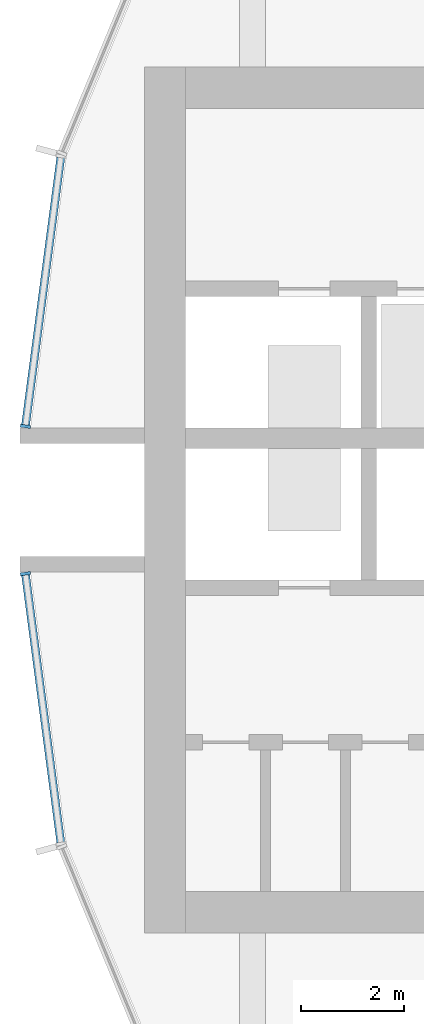
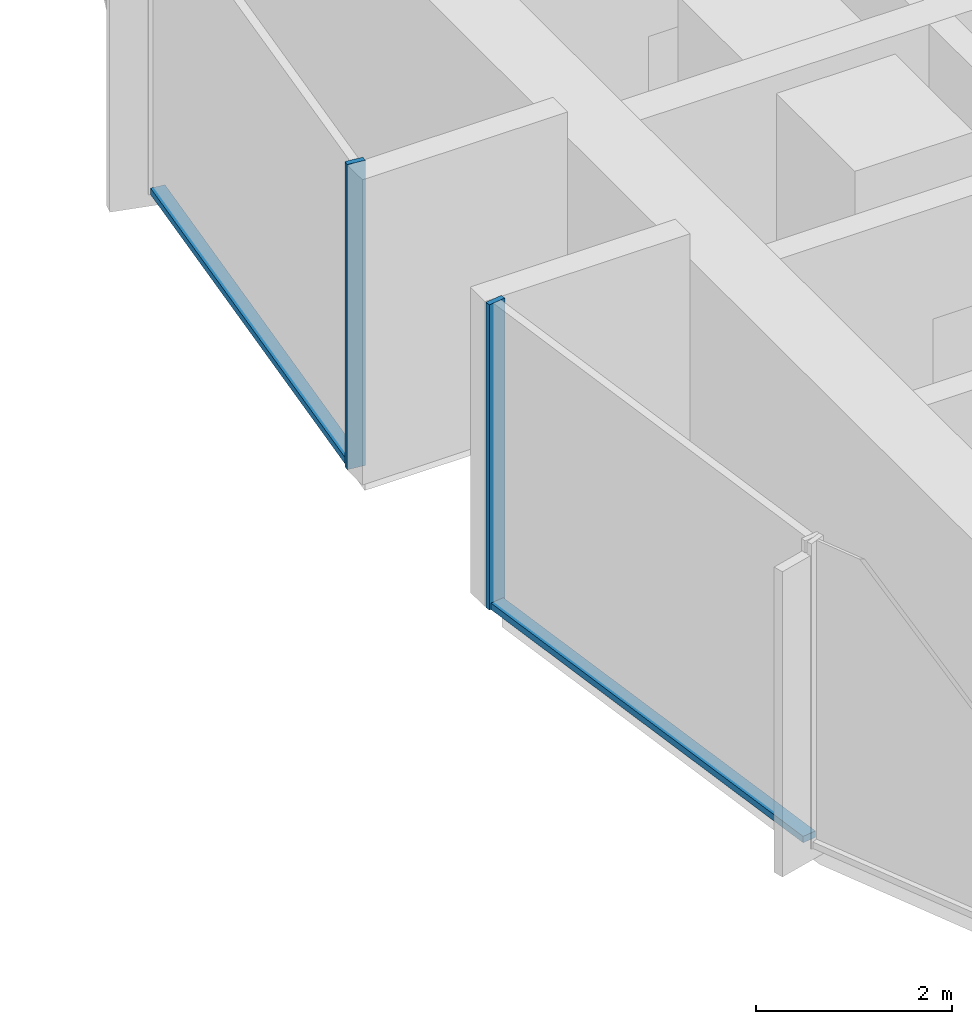
# One storey, part 3 of 15: 4 members, 2 elements without a shape of their own.
"""IFC4 building model written with IfcOpenShell, lengths in metres."""

from ifc_helpers import new_model, si_unit, direction, frame, origin, origin_2d, place, context, subcontext, project, spatial, rectangle, extrude, material, layer, layer_set, material_profile, profile_set, type_object, element, aggregate, save


model = new_model("IFC4")

# Units and contexts
model_context = context("Model", 3, precision=1e-05, world=origin(), true_north=direction((0.0, 1.0)))
body_context = subcontext(model_context, "Body", "Model", "MODEL_VIEW")
ifc_project = project(units=[si_unit("LENGTHUNIT", "METRE"), si_unit("AREAUNIT", "SQUARE_METRE"), si_unit("VOLUMEUNIT", "CUBIC_METRE"), si_unit("PLANEANGLEUNIT", "RADIAN"), si_unit("MASSUNIT", "GRAM", prefix="KILO")], contexts=[model_context])

# Site, building, storey
site_placement = place(None, origin())
site = spatial("IfcSite", under=ifc_project, at=site_placement, CompositionType="ELEMENT")
building_placement = place(site_placement, origin())
building = spatial("IfcBuilding", under=site, at=building_placement, Name="Torre Brocal", CompositionType="ELEMENT")
storey_placement = place(building_placement, frame((0.0, 0.0, 97.60009765625)))
storey = spatial("IfcBuildingStorey", under=building, at=storey_placement, Name="L22", CompositionType="ELEMENT", Elevation=97.60009765625)

# Curtain wall, member
ifc_material_1 = material(Name="Aluminium and glass", Category="aluminium")
ifc_layer = layer(ifc_material_1, 0.199951171875)
ifc_layer_set = layer_set([ifc_layer], Name="Aluminium and glass")
curtain_wall_type = type_object("IfcCurtainWallType", Name="CW-1B CURTAIN WALL 3800 HIGH", PredefinedType="NOTDEFINED", material=ifc_layer_set)
curtain_wall_1_placement = place(storey_placement, origin())
curtain_wall_1 = element("IfcCurtainWall", 1, at=curtain_wall_1_placement, inside=storey, type_object=curtain_wall_type, Name="CW-1B RUN 12", PredefinedType="NOTDEFINED")
ifc_material_2 = material(Name="Aluminium, dark anodised", Category="aluminium")
ifc_material_profile_1 = material_profile(ifc_material_2, rectangle(XDim=0.199951171875, YDim=0.06005859375, at=origin_2d()), Name="CW-1B MULLION 60X200")
ifc_profile_set_1 = profile_set([ifc_material_profile_1], Name="Aluminium, dark anodised")
member_type_1 = type_object("IfcMemberType", Name="CW-1B MULLION 60X200", PredefinedType="MULLION", material=ifc_profile_set_1)
member_1_placement = place(storey_placement, frame((54.2890625, 76.4296875, 0.0), z_axis=(0.0, 0.0, 1.0), x_axis=(0.991444861374, -0.13052619222, 0.0)))
member_1 = element("IfcMember", 2, at=member_1_placement, type_object=member_type_1, Name="CW1B-1 mullion 2", PredefinedType="MULLION", context=body_context, shape_type="SweptSolid", body=[
    extrude(rectangle(XDim=0.199951171875, YDim=0.06005859375, at=origin_2d()), origin(), (0.0, 0.0, 1.0), 3.7998046875),
])

curtain_wall_2_placement = place(storey_placement, origin())
curtain_wall_2 = element("IfcCurtainWall", 3, at=curtain_wall_2_placement, inside=storey, type_object=curtain_wall_type, Name="CW-1B RUN 13", PredefinedType="NOTDEFINED")
member_2_placement = place(storey_placement, frame((54.2890625, 73.5703125, 0.0), z_axis=(0.0, 0.0, 1.0), x_axis=(0.991444861374, 0.13052619222, 0.0)))
member_2 = element("IfcMember", 4, at=member_2_placement, type_object=member_type_1, Name="CW1B-1 mullion 1", PredefinedType="MULLION", context=body_context, shape_type="SweptSolid", body=[
    extrude(rectangle(XDim=0.199951171875, YDim=0.06005859375, at=origin_2d()), origin(), (0.0, 0.0, 1.0), 3.7998046875),
])

# Member
ifc_material_3 = material(Name="Aluminium, dark anodised", Category="aluminium")
ifc_material_profile_2 = material_profile(ifc_material_3, rectangle(XDim=0.159912109375, YDim=0.080078125, at=origin_2d()), Name="CW-1B TRANSOM 160X80")
ifc_profile_set_2 = profile_set([ifc_material_profile_2], Name="Aluminium, dark anodised")
member_type_2 = type_object("IfcMemberType", Name="CW-1B TRANSOM 160X80", PredefinedType="USERDEFINED", material=ifc_profile_set_2)
member_3_placement = place(storey_placement, frame((54.9755859375, 81.643798828125, 0.039794921875), z_axis=(-0.130542677827, -0.991442690863, 0.0), x_axis=(0.991442690863, -0.130542677827, 0.0)))
member_3 = element("IfcMember", 5, at=member_3_placement, type_object=member_type_2, Name="CW1B-1 transom 1.1", ObjectType="TRANSOM", PredefinedType="USERDEFINED", context=body_context, shape_type="SweptSolid", body=[
    extrude(rectangle(XDim=0.159912109375, YDim=0.080078125, at=origin_2d()), origin(), (0.0, 0.0, 1.0), 5.22900390625),
])

aggregate(curtain_wall_1, [member_1, member_3])

member_4_placement = place(storey_placement, frame((54.29296875, 73.54052734375, 0.039794921875), z_axis=(0.130542677827, -0.991442690863, 0.0), x_axis=(0.991442690863, 0.130542677827, 0.0)))
member_4 = element("IfcMember", 6, at=member_4_placement, type_object=member_type_2, Name="CW1B-1 transom 1.1", ObjectType="TRANSOM", PredefinedType="USERDEFINED", context=body_context, shape_type="SweptSolid", body=[
    extrude(rectangle(XDim=0.159912109375, YDim=0.080078125, at=origin_2d()), origin(), (0.0, 0.0, 1.0), 5.22900390625),
])

aggregate(curtain_wall_2, [member_2, member_4])

save(model, "model.ifc")
